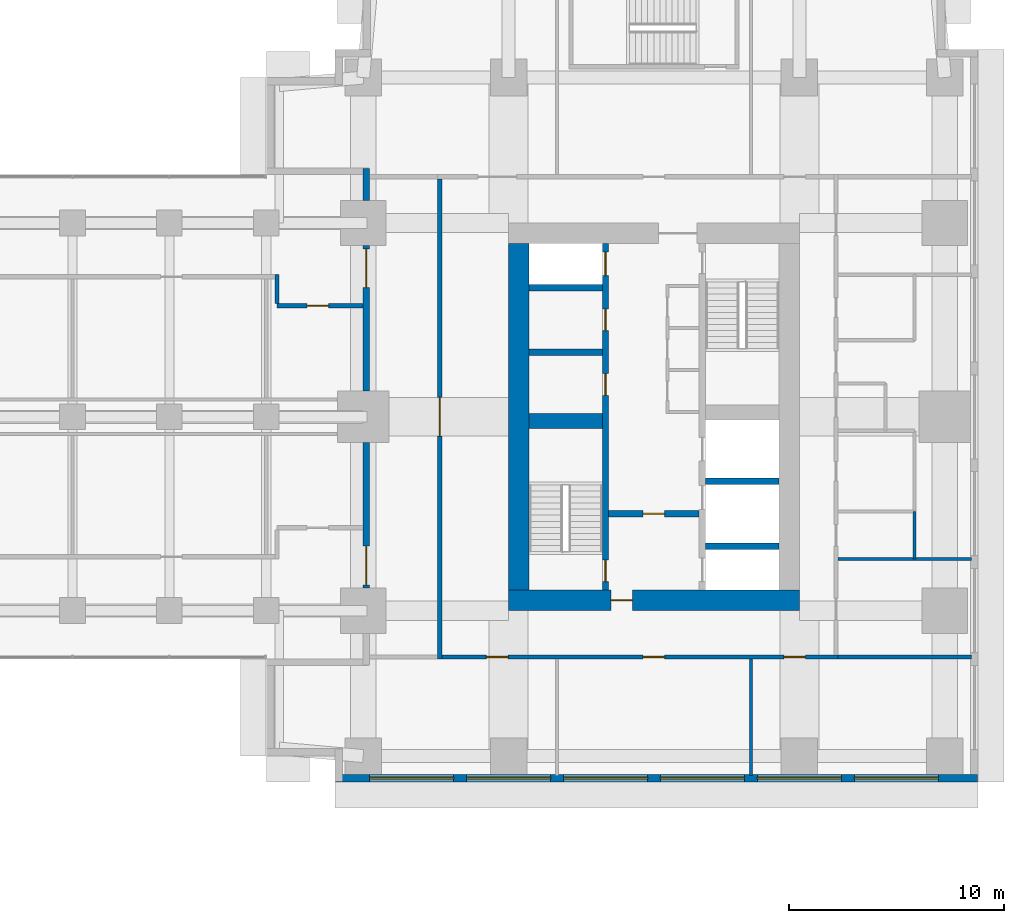
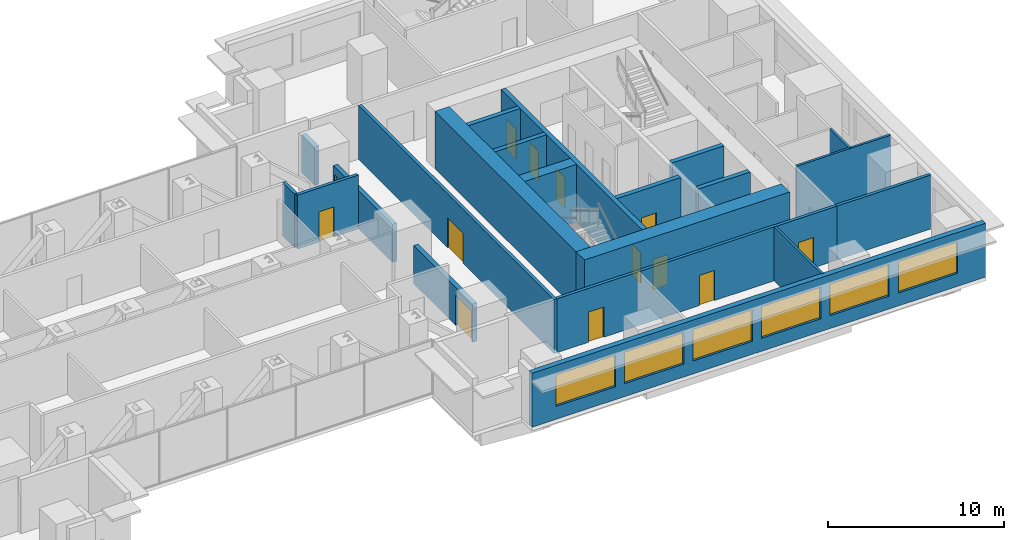
# One storey, part 10 of 16: 21 walls, 13 doors, 6 windows, 19 openings.
"""IFC4 building model written with IfcOpenShell, lengths in metres."""

import ifcopenshell
import ifcopenshell.guid

model = None  # the IFC model being written
_history = None  # IfcOwnerHistory: only IFC2X3 demands one
_inside = {}  # id of a spatial element -> (the spatial element, [elements in it])
_under = {}  # id of a project, library or spatial element -> (it, [spatial elements below it])
_declared = {}  # id of a project -> (the project, [libraries it declares])
_typed = {}  # id of a type object -> (the type object, [elements of that type])
_made_of = {}  # id of a material, layer set ... -> (it, [elements and type objects made of it])


def new_model(schema):
    """Start an empty IFC model of exactly this schema.

    Asked for "IFC4X3", IfcOpenShell would pick the latest addendum, in which some entities
    have other attributes; the version numbers below select the first issue.
    IFC2X3 requires an IfcOwnerHistory on every rooted entity: one is made here for all.
    """
    global model, _history
    if schema == "IFC4X3":
        model = ifcopenshell.file(schema_version=(4, 3, 0, 0))
    else:
        model = ifcopenshell.file(schema=schema)
    _inside.clear()
    _under.clear()
    _declared.clear()
    _typed.clear()
    _made_of.clear()
    _history = None
    if model.schema == "IFC2X3":
        org = make("IfcOrganization", Name="unknown")
        user = make(
            "IfcPersonAndOrganization",
            ThePerson=make("IfcPerson", FamilyName="unknown"),
            TheOrganization=org,
        )
        app = make(
            "IfcApplication",
            ApplicationDeveloper=org,
            Version="unknown",
            ApplicationFullName="unknown",
            ApplicationIdentifier="unknown",
        )
        _history = make(
            "IfcOwnerHistory",
            OwningUser=user,
            OwningApplication=app,
            ChangeAction="ADDED",
            CreationDate=0,
        )
    return model


def make(cls, **values):
    """One entity of the class cls with the attributes given. An attribute that is None is left unset."""
    return model.create_entity(
        cls, **{name: value for name, value in values.items() if value is not None}
    )


def rooted(cls, **values):
    """An entity with a GlobalId (a new one), such as an element, a storey or a relation."""
    return make(cls, GlobalId=ifcopenshell.guid.new(), OwnerHistory=_history, **values)


def si_unit(unit_type, name, prefix=None):
    """IfcSIUnit, for example si_unit("LENGTHUNIT", "METRE", prefix="MILLI")."""
    return make("IfcSIUnit", UnitType=unit_type, Prefix=prefix, Name=name)


def assignment(units):
    """IfcUnitAssignment: the units of a project."""
    return None if units is None else make("IfcUnitAssignment", Units=units)


def point(xyz):
    """IfcCartesianPoint."""
    return None if xyz is None else make("IfcCartesianPoint", Coordinates=xyz)


def direction(xyz):
    """IfcDirection."""
    return None if xyz is None else make("IfcDirection", DirectionRatios=xyz)


def frame(location, z_axis=None, x_axis=None):
    """IfcAxis2Placement3D, a coordinate frame: its origin and axes. An axis left out is left unset."""
    return make(
        "IfcAxis2Placement3D",
        Location=point(location),
        Axis=direction(z_axis),
        RefDirection=direction(x_axis),
    )


def frame_2d(location, x_axis=None):
    """IfcAxis2Placement2D, a coordinate frame in the plane: its origin and x axis."""
    return make(
        "IfcAxis2Placement2D", Location=point(location), RefDirection=direction(x_axis)
    )


def origin():
    """The frame at (0, 0, 0) with its axes left unset."""
    return frame((0.0, 0.0, 0.0))


def place(relative_to, where):
    """IfcLocalPlacement: puts the frame where relative to a parent placement (None: the world)."""
    return make(
        "IfcLocalPlacement", PlacementRelTo=relative_to, RelativePlacement=where
    )


def context(
    kind, dimensions, precision=None, world=None, true_north=None, identifier=None
):
    """IfcGeometricRepresentationContext, for example the 3D "Model" context."""
    return make(
        "IfcGeometricRepresentationContext",
        ContextIdentifier=identifier,
        ContextType=kind,
        CoordinateSpaceDimension=dimensions,
        Precision=precision,
        WorldCoordinateSystem=world,
        TrueNorth=true_north,
    )


def subcontext(parent, identifier, kind, view, scale=None):
    """IfcGeometricRepresentationSubContext, for example "Body" below "Model"."""
    return make(
        "IfcGeometricRepresentationSubContext",
        ContextIdentifier=identifier,
        ContextType=kind,
        ParentContext=parent,
        TargetScale=scale,
        TargetView=view,
    )


def project(units=None, contexts=None):
    """IfcProject with its units and contexts."""
    return rooted(
        "IfcProject",
        Name="project",
        RepresentationContexts=contexts,
        UnitsInContext=assignment(units),
    )


def spatial(cls, under=None, at=None, **own):
    """A site, building, storey or space (cls), placed at a placement, below another one or the project."""
    s = rooted(cls, ObjectPlacement=at, **own)
    if under is not None:
        _under.setdefault(under.id(), (under, []))[1].append(s)
    return s


def profile(cls, at=None, kind="AREA", **sizes):
    """A parametric profile (cls). Its sizes go by their IFC names, for example OverallWidth=200.0."""
    return make(cls, ProfileType=kind, Position=at, **sizes)


def rectangle(**sizes):
    """IfcRectangleProfileDef."""
    return profile("IfcRectangleProfileDef", **sizes)


def extrude(swept, where, along, depth):
    """IfcExtrudedAreaSolid: the profile swept, set in the frame where, extruded along a direction by depth."""
    return make(
        "IfcExtrudedAreaSolid",
        SweptArea=swept,
        Position=where,
        ExtrudedDirection=direction(along),
        Depth=depth,
    )


def shape(context_of_items, identifier, shape_type, items):
    """IfcShapeRepresentation: the items that make up one representation, for example the "Body"."""
    return make(
        "IfcShapeRepresentation",
        ContextOfItems=context_of_items,
        RepresentationIdentifier=identifier,
        RepresentationType=shape_type,
        Items=items,
    )


def material(Name=None, Category=None):
    """IfcMaterial."""
    return make("IfcMaterial", Name=Name, Category=Category)


def layer(
    of_material, thickness, ventilated=None, Name=None, Category=None, Priority=None
):
    """IfcMaterialLayer: one layer of a wall or slab, of a material (None: an air gap)."""
    return make(
        "IfcMaterialLayer",
        Material=of_material,
        LayerThickness=thickness,
        IsVentilated=ventilated,
        Name=Name,
        Category=Category,
        Priority=Priority,
    )


def layer_set(layers, Name=None):
    """IfcMaterialLayerSet."""
    return make("IfcMaterialLayerSet", MaterialLayers=layers, LayerSetName=Name)


def made_of(thing, what):
    """Note that an element or type object is made of a material, layer set ...; save() writes the relation."""
    if what is not None:
        _made_of.setdefault(what.id(), (what, []))[1].append(thing)
    return thing


def type_object(cls, material=None, **own):
    """A type object (cls), such as IfcWallType, which elements share."""
    return made_of(rooted(cls, **own), material)


def element(
    cls,
    number,
    at=None,
    inside=None,
    cuts=None,
    type_object=None,
    material=None,
    context=None,
    identifier="Body",
    shape_type=None,
    held_by="IfcProductDefinitionShape",
    body=None,
    shapes=None,
    **own,
):
    """One element of the class cls, such as IfcWall. Its Tag is "e" and its number.

    at: its placement. inside: the storey or other place that contains it. cuts: it is an
    opening in that element (IfcRelVoidsElement). A single representation is given by context,
    identifier, shape_type and body (its items); several are given by shapes. held_by: the class
    of the entity that holds the representations. save() writes the other relations.
    """
    e = rooted(cls, Tag="e%d" % number, ObjectPlacement=at, **own)
    if body is not None:
        shapes = [shape(context, identifier, shape_type, body)]
    if shapes is not None:
        e.Representation = make(held_by, Representations=shapes)
    if inside is not None:
        _inside.setdefault(inside.id(), (inside, []))[1].append(e)
    if cuts is not None:
        rooted(
            "IfcRelVoidsElement", RelatingBuildingElement=cuts, RelatedOpeningElement=e
        )
    if type_object is not None:
        _typed.setdefault(type_object.id(), (type_object, []))[1].append(e)
    return made_of(e, material)


def fill(opening, filler):
    """IfcRelFillsElement: the door or window that sits in an opening."""
    return rooted(
        "IfcRelFillsElement",
        RelatingOpeningElement=opening,
        RelatedBuildingElement=filler,
    )


def aggregate(whole, parts):
    """IfcRelAggregates: a whole, such as a stair, and the parts it consists of."""
    return rooted("IfcRelAggregates", RelatingObject=whole, RelatedObjects=parts)


def save(model, path):
    """Write the relations noted so far, then the file.

    IfcRelAggregates (storeys below a building ...), IfcRelContainedInSpatialStructure (elements
    in a storey), IfcRelDefinesByType, IfcRelAssociatesMaterial and IfcRelDeclares: one each for
    every whole, place, type object, material and project.
    """
    for whole, parts in _under.values():
        aggregate(whole, parts)
    for where, things in _inside.values():
        rooted(
            "IfcRelContainedInSpatialStructure",
            RelatedElements=things,
            RelatingStructure=where,
        )
    for kind, things in _typed.values():
        rooted("IfcRelDefinesByType", RelatedObjects=things, RelatingType=kind)
    for what, things in _made_of.values():
        rooted("IfcRelAssociatesMaterial", RelatedObjects=things, RelatingMaterial=what)
    for by, libraries in _declared.values():
        rooted("IfcRelDeclares", RelatingContext=by, RelatedDefinitions=libraries)
    model.write(path)


model = new_model("IFC4")

# Units and contexts
model_context = context("Model", 3, precision=1e-05, world=origin(), true_north=direction((0.0, 1.0)))
body_context = subcontext(model_context, "Body", "Model", "MODEL_VIEW")
ifc_project = project(units=[si_unit("LENGTHUNIT", "METRE"), si_unit("AREAUNIT", "SQUARE_METRE"), si_unit("VOLUMEUNIT", "CUBIC_METRE"), si_unit("PLANEANGLEUNIT", "RADIAN"), si_unit("MASSUNIT", "GRAM", prefix="KILO")], contexts=[model_context])

# Site, building, storey
site_placement = place(None, origin())
site = spatial("IfcSite", under=ifc_project, at=site_placement, CompositionType="ELEMENT")
building_placement = place(site_placement, origin())
building = spatial("IfcBuilding", under=site, at=building_placement, Name="Namib Vertical Campus", CompositionType="ELEMENT")
storey_placement = place(building_placement, frame((0.0, 0.0, 121.0)))
storey = spatial("IfcBuildingStorey", under=building, at=storey_placement, Name="L28", CompositionType="ELEMENT", Elevation=121.0)

# Wall, openings, doors
ifc_material_1 = material(Name="Concrete C60/75", Category="concrete")
ifc_layer_1 = layer(ifc_material_1, 0.300048828125)
ifc_layer_set_1 = layer_set([ifc_layer_1], Name="Concrete C60/75")
wall_type_1 = type_object("IfcWallType", Name="Core inner wall 300", PredefinedType="SHEAR", material=ifc_layer_set_1)
wall_1_placement = place(storey_placement, frame((78.75, 12.199951171875, 0.0), z_axis=(0.0, 0.0, 1.0), x_axis=(0.0, 1.0, 0.0)))
wall_1 = element("IfcWall", 1, at=wall_1_placement, inside=storey, type_object=wall_type_1, Name="Core inner wall B L28 W1", PredefinedType="SHEAR", context=body_context, shape_type="SweptSolid", body=[
    extrude(rectangle(XDim=16.10009765625, YDim=0.300048828125, at=frame_2d((8.050048828125, 0.0))), origin(), (0.0, 0.0, 1.0), 4.0),
])
opening_1_placement = place(wall_1_placement, frame((0.39990234375, 0.0, 0.0)))
opening_1 = element("IfcOpeningElement", 2, at=opening_1_placement, cuts=wall_1, Name="Opening FD1", PredefinedType="OPENING", context=body_context, shape_type="SweptSolid", body=[
    extrude(rectangle(XDim=1.0, YDim=2.10009765625, at=frame_2d((0.5, 1.050048828125))), frame((0.0, 0.159912109375, 0.0), z_axis=(0.0, -1.0, 0.0), x_axis=(1.0, 0.0, 0.0)), (0.0, 0.0, 1.0), 0.320068359375),
])
opening_2_placement = place(wall_1_placement, frame((14.60009765625, 0.0, 0.0)))
opening_2 = element("IfcOpeningElement", 3, at=opening_2_placement, cuts=wall_1, Name="Opening LD1", PredefinedType="OPENING", context=body_context, shape_type="SweptSolid", body=[
    extrude(rectangle(XDim=1.10009765625, YDim=2.10009765625, at=frame_2d((0.550048828125, 1.050048828125))), frame((0.0, 0.159912109375, 0.0), z_axis=(0.0, -1.0, 0.0), x_axis=(1.0, 0.0, 0.0)), (0.0, 0.0, 1.0), 0.320068359375),
])
opening_3_placement = place(wall_1_placement, frame((9.050048828125, 0.0, 0.0)))
opening_3 = element("IfcOpeningElement", 4, at=opening_3_placement, cuts=wall_1, Name="Opening D1", PredefinedType="OPENING", context=body_context, shape_type="SweptSolid", body=[
    extrude(rectangle(XDim=1.0, YDim=2.10009765625, at=frame_2d((0.5, 1.050048828125))), frame((0.0, 0.159912109375, 0.0), z_axis=(0.0, -1.0, 0.0), x_axis=(1.0, 0.0, 0.0)), (0.0, 0.0, 1.0), 0.320068359375),
])
opening_4_placement = place(wall_1_placement, frame((12.050048828125, 0.0, 0.0)))
opening_4 = element("IfcOpeningElement", 5, at=opening_4_placement, cuts=wall_1, Name="Opening D1", PredefinedType="OPENING", context=body_context, shape_type="SweptSolid", body=[
    extrude(rectangle(XDim=1.0, YDim=2.10009765625, at=frame_2d((0.5, 1.050048828125))), frame((0.0, 0.159912109375, 0.0), z_axis=(0.0, -1.0, 0.0), x_axis=(1.0, 0.0, 0.0)), (0.0, 0.0, 1.0), 0.320068359375),
])
ifc_material_2 = material(Name="Timber door leaf", Category="wood")
door_type_1 = type_object("IfcDoorType", Name="Door single 1000x2100", OperationType="SINGLE_SWING_LEFT", PredefinedType="DOOR", material=ifc_material_2)
door_1_placement = place(opening_3_placement, origin())
door_1 = element("IfcDoor", 6, at=door_1_placement, inside=storey, type_object=door_type_1, Name="Door D1 Store B L28 P1", OperationType="SINGLE_SWING_LEFT", OverallHeight=2.10009765625, OverallWidth=1.0, PredefinedType="DOOR", context=body_context, shape_type="SweptSolid", body=[
    extrude(rectangle(XDim=1.0, YDim=2.10009765625, at=frame_2d((0.5, 1.050048828125))), frame((0.0, 0.02490234375, 0.0), z_axis=(0.0, -1.0, 0.0), x_axis=(1.0, 0.0, 0.0)), (0.0, 0.0, 1.0), 0.050048828125),
])
fill(opening_3, door_1)
door_2_placement = place(opening_4_placement, origin())
door_2 = element("IfcDoor", 7, at=door_2_placement, inside=storey, type_object=door_type_1, Name="Door D1 Comms room B L28 P2", OperationType="SINGLE_SWING_LEFT", OverallHeight=2.10009765625, OverallWidth=1.0, PredefinedType="DOOR", context=body_context, shape_type="SweptSolid", body=[
    extrude(rectangle(XDim=1.0, YDim=2.10009765625, at=frame_2d((0.5, 1.050048828125))), frame((0.0, 0.02490234375, 0.0), z_axis=(0.0, -1.0, 0.0), x_axis=(1.0, 0.0, 0.0)), (0.0, 0.0, 1.0), 0.050048828125),
])
fill(opening_4, door_2)
ifc_material_3 = material(Name="Steel fire door", Category="steel")
door_type_2 = type_object("IfcDoorType", Name="Fire door 1000x2100", OperationType="SINGLE_SWING_RIGHT", PredefinedType="DOOR", material=ifc_material_3)
door_3_placement = place(opening_1_placement, origin())
door_3 = element("IfcDoor", 8, at=door_3_placement, inside=storey, type_object=door_type_2, Name="Stair door FD1 B L28 S1", OperationType="SINGLE_SWING_LEFT", OverallHeight=2.10009765625, OverallWidth=1.0, PredefinedType="DOOR", context=body_context, shape_type="SweptSolid", body=[
    extrude(rectangle(XDim=1.0, YDim=2.10009765625, at=frame_2d((0.5, 1.050048828125))), frame((0.0, 0.02490234375, 0.0), z_axis=(0.0, -1.0, 0.0), x_axis=(1.0, 0.0, 0.0)), (0.0, 0.0, 1.0), 0.050048828125),
])
fill(opening_1, door_3)
ifc_material_4 = material(Name="Stainless steel lift door", Category="steel")
door_type_3 = type_object("IfcDoorType", Name="Lift landing door 1100x2100", OperationType="DOUBLE_DOOR_SLIDING", PredefinedType="DOOR", material=ifc_material_4)
door_4_placement = place(opening_2_placement, origin())
door_4 = element("IfcDoor", 9, at=door_4_placement, inside=storey, type_object=door_type_3, Name="Lift landing door LD1 B-P3 L28", OperationType="DOUBLE_DOOR_SLIDING", OverallHeight=2.10009765625, OverallWidth=1.10009765625, PredefinedType="DOOR", context=body_context, shape_type="SweptSolid", body=[
    extrude(rectangle(XDim=1.10009765625, YDim=2.10009765625, at=frame_2d((0.550048828125, 1.050048828125))), frame((0.0, 0.02490234375, 0.0), z_axis=(0.0, -1.0, 0.0), x_axis=(1.0, 0.0, 0.0)), (0.0, 0.0, 1.0), 0.050048828125),
])
fill(opening_2, door_4)

# Wall, opening, door
wall_2_placement = place(storey_placement, frame((78.89990234375, 15.75, 0.0), z_axis=(0.0, 0.0, 1.0), x_axis=(1.0, 0.0, 0.0)))
wall_2 = element("IfcWall", 10, at=wall_2_placement, inside=storey, type_object=wall_type_1, Name="Core inner wall B L28 W4", PredefinedType="SHEAR", context=body_context, shape_type="SweptSolid", body=[
    extrude(rectangle(XDim=4.2001953125, YDim=0.300048828125, at=frame_2d((2.10009765625, 0.0))), origin(), (0.0, 0.0, 1.0), 4.0),
])
opening_5_placement = place(wall_2_placement, frame((1.60009765625, 0.0, 0.0)))
opening_5 = element("IfcOpeningElement", 11, at=opening_5_placement, cuts=wall_2, Name="Opening FD5", PredefinedType="OPENING", context=body_context, shape_type="SweptSolid", body=[
    extrude(rectangle(XDim=1.0, YDim=2.10009765625, at=frame_2d((0.5, 1.050048828125))), frame((0.0, 0.159912109375, 0.0), z_axis=(0.0, -1.0, 0.0), x_axis=(1.0, 0.0, 0.0)), (0.0, 0.0, 1.0), 0.320068359375),
])
ifc_material_5 = material(Name="Steel fire door", Category="steel")
door_type_4 = type_object("IfcDoorType", Name="Fire door 1000x2100 120 min", OperationType="SINGLE_SWING_RIGHT", PredefinedType="DOOR", material=ifc_material_5)
door_5_placement = place(opening_5_placement, frame((1.0, 0.0, 0.0), z_axis=(0.0, 0.0, 1.0), x_axis=(-1.0, 0.0, 0.0)))
door_5 = element("IfcDoor", 12, at=door_5_placement, inside=storey, type_object=door_type_4, Name="Lobby door FD5 B L28", OperationType="SINGLE_SWING_RIGHT", OverallHeight=2.10009765625, OverallWidth=1.0, PredefinedType="DOOR", context=body_context, shape_type="SweptSolid", body=[
    extrude(rectangle(XDim=1.0, YDim=2.10009765625, at=frame_2d((0.5, 1.050048828125))), frame((0.0, 0.02490234375, 0.0), z_axis=(0.0, -1.0, 0.0), x_axis=(1.0, 0.0, 0.0)), (0.0, 0.0, 1.0), 0.050048828125),
])
fill(opening_5, door_5)

# Walls
for number, where, z_axis, x_axis, name in (
    (13, (83.39990234375, 14.25, 0.0), (0.0, 0.0, 1.0), (1.0, 0.0, 0.0), "Core inner wall B L28 W5"),
    (14, (83.39990234375, 17.25, 0.0), (0.0, 0.0, 1.0), (1.0, 0.0, 0.0), "Core inner wall B L28 W6"),
    (15, (75.199951171875, 23.25, 0.0), (0.0, 0.0, 1.0), (1.0, 0.0, 0.0), "Core inner wall B L28 W8"),
    (16, (75.199951171875, 26.25, 0.0), (0.0, 0.0, 1.0), (1.0, 0.0, 0.0), "Core inner wall B L28 W9"),
):
    element("IfcWall", number, at=place(storey_placement, frame(where, z_axis=z_axis, x_axis=x_axis)), inside=storey, type_object=wall_type_1, Name=name, PredefinedType="SHEAR", context=body_context, shape_type="SweptSolid", body=[
        extrude(rectangle(XDim=3.400146484375, YDim=0.300048828125, at=frame_2d((1.7001953125, 0.0))), origin(), (0.0, 0.0, 1.0), 4.0),
    ])
ifc_material_6 = material(Name="Concrete C60/75", Category="concrete")
ifc_layer_2 = layer(ifc_material_6, 0.699951171875)
ifc_layer_set_2 = layer_set([ifc_layer_2], Name="Concrete C60/75")
wall_type_2 = type_object("IfcWallType", Name="Core shear wall 700", PredefinedType="SHEAR", material=ifc_layer_set_2)
wall_3_placement = place(storey_placement, frame((75.199951171875, 20.050048828125, 0.0), z_axis=(0.0, 0.0, 1.0), x_axis=(1.0, 0.0, 0.0)))
element("IfcWall", 17, at=wall_3_placement, inside=storey, type_object=wall_type_2, Name="Core shear wall B L28 W3", PredefinedType="SHEAR", context=body_context, shape_type="SweptSolid", body=[
    extrude(rectangle(XDim=3.400146484375, YDim=0.699951171875, at=frame_2d((1.7001953125, 0.0))), origin(), (0.0, 0.0, 1.0), 4.0),
])

# Wall, opening, door
ifc_material_7 = material(Name="Concrete C60/75", Category="concrete")
ifc_layer_3 = layer(ifc_material_7, 0.949951171875)
ifc_layer_set_3 = layer_set([ifc_layer_3], Name="Concrete C60/75")
wall_type_3 = type_object("IfcWallType", Name="Core wall 950", PredefinedType="SHEAR", material=ifc_layer_set_3)
wall_4_placement = place(storey_placement, frame((74.25, 11.72509765625, 0.0), z_axis=(0.0, 0.0, 1.0), x_axis=(1.0, 0.0, 0.0)))
wall_4 = element("IfcWall", 18, at=wall_4_placement, inside=storey, type_object=wall_type_3, Name="Core wall B L28 1", PredefinedType="SHEAR", context=body_context, shape_type="SweptSolid", body=[
    extrude(rectangle(XDim=13.5, YDim=0.949951171875, at=frame_2d((6.75, 0.0))), origin(), (0.0, 0.0, 1.0), 4.0),
])
opening_6_placement = place(wall_4_placement, frame((4.75, 0.0, 0.0)))
opening_6 = element("IfcOpeningElement", 19, at=opening_6_placement, cuts=wall_4, Name="Opening FD5", PredefinedType="OPENING", context=body_context, shape_type="SweptSolid", body=[
    extrude(rectangle(XDim=1.0, YDim=2.10009765625, at=frame_2d((0.5, 1.050048828125))), frame((0.0, 0.48486328125, 0.0), z_axis=(0.0, -1.0, 0.0), x_axis=(1.0, 0.0, 0.0)), (0.0, 0.0, 1.0), 0.969970703125),
])
door_6_placement = place(opening_6_placement, origin())
door_6 = element("IfcDoor", 20, at=door_6_placement, inside=storey, type_object=door_type_4, Name="Firefighting lobby door FD5 B L28", OperationType="SINGLE_SWING_LEFT", OverallHeight=2.10009765625, OverallWidth=1.0, PredefinedType="DOOR", context=body_context, shape_type="SweptSolid", body=[
    extrude(rectangle(XDim=1.0, YDim=2.10009765625, at=frame_2d((0.5, 1.050048828125))), frame((0.0, 0.02490234375, 0.0), z_axis=(0.0, -1.0, 0.0), x_axis=(1.0, 0.0, 0.0)), (0.0, 0.0, 1.0), 0.050048828125),
])
fill(opening_6, door_6)

# Wall
wall_5_placement = place(storey_placement, frame((74.72509765625, 28.300048828125, 0.0), z_axis=(0.0, 0.0, 1.0), x_axis=(0.0, -1.0, 0.0)))
element("IfcWall", 21, at=wall_5_placement, inside=storey, type_object=wall_type_3, Name="Core wall B L28 4", PredefinedType="SHEAR", context=body_context, shape_type="SweptSolid", body=[
    extrude(rectangle(XDim=16.10009765625, YDim=0.949951171875, at=frame_2d((8.050048828125, 0.0))), origin(), (0.0, 0.0, 1.0), 4.0),
])

# Wall, openings, doors
ifc_material_8 = material(Name="Concrete masonry", Category="masonry")
ifc_layer_4 = layer(ifc_material_8, 0.199951171875)
ifc_layer_set_4 = layer_set([ifc_layer_4], Name="Corridor wall 200")
wall_type_4 = type_object("IfcWallType", Name="Corridor wall 200", PredefinedType="SOLIDWALL", material=ifc_layer_set_4)
wall_6_placement = place(storey_placement, frame((71.14990234375, 9.10009765625, 0.0), z_axis=(0.0, 0.0, 1.0), x_axis=(1.0, 0.0, 0.0)))
wall_6 = element("IfcWall", 22, at=wall_6_placement, inside=storey, type_object=wall_type_4, Name="Corridor wall B L28 CS", PredefinedType="SOLIDWALL", context=body_context, shape_type="SweptSolid", body=[
    extrude(rectangle(XDim=18.400146484375, YDim=0.199951171875, at=frame_2d((9.2001953125, 0.0))), origin(), (0.0, 0.0, 1.0), 3.75),
])
opening_7_placement = place(wall_6_placement, frame((2.074951171875, 0.0, 0.0)))
opening_7 = element("IfcOpeningElement", 23, at=opening_7_placement, cuts=wall_6, Name="Opening CD1", PredefinedType="OPENING", context=body_context, shape_type="SweptSolid", body=[
    extrude(rectangle(XDim=1.0, YDim=2.10009765625, at=frame_2d((0.5, 1.050048828125))), frame((0.0, 0.10986328125, 0.0), z_axis=(0.0, -1.0, 0.0), x_axis=(1.0, 0.0, 0.0)), (0.0, 0.0, 1.0), 0.219970703125),
])
opening_8_placement = place(wall_6_placement, frame((9.35009765625, 0.0, 0.0)))
opening_8 = element("IfcOpeningElement", 24, at=opening_8_placement, cuts=wall_6, Name="Opening CD1", PredefinedType="OPENING", context=body_context, shape_type="SweptSolid", body=[
    extrude(rectangle(XDim=1.0, YDim=2.10009765625, at=frame_2d((0.5, 1.050048828125))), frame((0.0, 0.10986328125, 0.0), z_axis=(0.0, -1.0, 0.0), x_axis=(1.0, 0.0, 0.0)), (0.0, 0.0, 1.0), 0.219970703125),
])
opening_9_placement = place(wall_6_placement, frame((15.875, 0.0, 0.0)))
opening_9 = element("IfcOpeningElement", 25, at=opening_9_placement, cuts=wall_6, Name="Opening CD1", PredefinedType="OPENING", context=body_context, shape_type="SweptSolid", body=[
    extrude(rectangle(XDim=1.0, YDim=2.10009765625, at=frame_2d((0.5, 1.050048828125))), frame((0.0, 0.10986328125, 0.0), z_axis=(0.0, -1.0, 0.0), x_axis=(1.0, 0.0, 0.0)), (0.0, 0.0, 1.0), 0.219970703125),
])
ifc_material_9 = material(Name="Timber fire door leaf", Category="wood")
door_type_5 = type_object("IfcDoorType", Name="Corridor door 1000x2100 20 min", OperationType="SINGLE_SWING_LEFT", PredefinedType="DOOR", material=ifc_material_9)
door_7_placement = place(opening_7_placement, frame((1.0, 0.0, 0.0), z_axis=(0.0, 0.0, 1.0), x_axis=(-1.0, 0.0, 0.0)))
door_7 = element("IfcDoor", 26, at=door_7_placement, inside=storey, type_object=door_type_5, Name="Door CD1 B28-01", OperationType="SINGLE_SWING_LEFT", OverallHeight=2.10009765625, OverallWidth=1.0, PredefinedType="DOOR", context=body_context, shape_type="SweptSolid", body=[
    extrude(rectangle(XDim=1.0, YDim=2.10009765625, at=frame_2d((0.5, 1.050048828125))), frame((0.0, 0.02490234375, 0.0), z_axis=(0.0, -1.0, 0.0), x_axis=(1.0, 0.0, 0.0)), (0.0, 0.0, 1.0), 0.050048828125),
])
fill(opening_7, door_7)
door_8_placement = place(opening_8_placement, frame((1.0, 0.0, 0.0), z_axis=(0.0, 0.0, 1.0), x_axis=(-1.0, 0.0, 0.0)))
door_8 = element("IfcDoor", 27, at=door_8_placement, inside=storey, type_object=door_type_5, Name="Door CD1 B28-02", OperationType="SINGLE_SWING_RIGHT", OverallHeight=2.10009765625, OverallWidth=1.0, PredefinedType="DOOR", context=body_context, shape_type="SweptSolid", body=[
    extrude(rectangle(XDim=1.0, YDim=2.10009765625, at=frame_2d((0.5, 1.050048828125))), frame((0.0, 0.02490234375, 0.0), z_axis=(0.0, -1.0, 0.0), x_axis=(1.0, 0.0, 0.0)), (0.0, 0.0, 1.0), 0.050048828125),
])
fill(opening_8, door_8)
door_9_placement = place(opening_9_placement, frame((1.0, 0.0, 0.0), z_axis=(0.0, 0.0, 1.0), x_axis=(-1.0, 0.0, 0.0)))
door_9 = element("IfcDoor", 28, at=door_9_placement, inside=storey, type_object=door_type_5, Name="Door CD1 B28-03", OperationType="SINGLE_SWING_RIGHT", OverallHeight=2.10009765625, OverallWidth=1.0, PredefinedType="DOOR", context=body_context, shape_type="SweptSolid", body=[
    extrude(rectangle(XDim=1.0, YDim=2.10009765625, at=frame_2d((0.5, 1.050048828125))), frame((0.0, 0.02490234375, 0.0), z_axis=(0.0, -1.0, 0.0), x_axis=(1.0, 0.0, 0.0)), (0.0, 0.0, 1.0), 0.050048828125),
])
fill(opening_9, door_9)

# Wall, opening, door
wall_7_placement = place(storey_placement, frame((71.050048828125, 31.300048828125, 0.0), z_axis=(0.0, 0.0, 1.0), x_axis=(0.0, -1.0, 0.0)))
wall_7 = element("IfcWall", 29, at=wall_7_placement, inside=storey, type_object=wall_type_4, Name="Corridor wall B L28 CW", PredefinedType="SOLIDWALL", context=body_context, shape_type="SweptSolid", body=[
    extrude(rectangle(XDim=22.300048828125, YDim=0.199951171875, at=frame_2d((11.14990234375, 0.0))), origin(), (0.0, 0.0, 1.0), 3.75),
])
opening_10_placement = place(wall_7_placement, frame((10.14990234375, 0.0, 0.0)))
opening_10 = element("IfcOpeningElement", 30, at=opening_10_placement, cuts=wall_7, Name="Opening FD2", PredefinedType="OPENING", context=body_context, shape_type="SweptSolid", body=[
    extrude(rectangle(XDim=1.800048828125, YDim=2.10009765625, at=frame_2d((0.89990234375, 1.050048828125))), frame((0.0, 0.10986328125, 0.0), z_axis=(0.0, -1.0, 0.0), x_axis=(1.0, 0.0, 0.0)), (0.0, 0.0, 1.0), 0.219970703125),
])
ifc_material_10 = material(Name="Steel fire door", Category="steel")
door_type_6 = type_object("IfcDoorType", Name="Fire door double 1800x2100", OperationType="DOUBLE_DOOR_SINGLE_SWING", PredefinedType="DOOR", material=ifc_material_10)
door_10_placement = place(opening_10_placement, origin())
door_10 = element("IfcDoor", 31, at=door_10_placement, inside=storey, type_object=door_type_6, Name="Door FD2 B28-14", OperationType="DOUBLE_DOOR_SINGLE_SWING", OverallHeight=2.10009765625, OverallWidth=1.800048828125, PredefinedType="DOOR", context=body_context, shape_type="SweptSolid", body=[
    extrude(rectangle(XDim=1.800048828125, YDim=2.10009765625, at=frame_2d((0.89990234375, 1.050048828125))), frame((0.0, 0.02490234375, 0.0), z_axis=(0.0, -1.0, 0.0), x_axis=(1.0, 0.0, 0.0)), (0.0, 0.0, 1.0), 0.050048828125),
])
fill(opening_10, door_10)

# Wall
wall_8_placement = place(storey_placement, frame((89.550048828125, 9.10009765625, 0.0), z_axis=(0.0, 0.0, 1.0), x_axis=(1.0, 0.0, 0.0)))
element("IfcWall", 32, at=wall_8_placement, inside=storey, type_object=wall_type_4, Name="Partition B L28 BSE", PredefinedType="SOLIDWALL", context=body_context, shape_type="SweptSolid", body=[
    extrude(rectangle(XDim=6.199951171875, YDim=0.199951171875, at=frame_2d((3.10009765625, 0.0))), origin(), (0.0, 0.0, 1.0), 3.75),
])

# Wall, opening, door
wall_9_placement = place(storey_placement, frame((63.5, 25.39990234375, 0.0), z_axis=(0.0, 0.0, 1.0), x_axis=(1.0, 0.0, 0.0)))
wall_9 = element("IfcWall", 33, at=wall_9_placement, inside=storey, type_object=wall_type_4, Name="Lobby wall L28 NE", PredefinedType="SOLIDWALL", context=body_context, shape_type="SweptSolid", body=[
    extrude(rectangle(XDim=4.0, YDim=0.199951171875, at=frame_2d((2.0, 0.0))), origin(), (0.0, 0.0, 1.0), 3.75),
])
opening_11_placement = place(wall_9_placement, frame((1.39990234375, 0.0, 0.0)))
opening_11 = element("IfcOpeningElement", 34, at=opening_11_placement, cuts=wall_9, Name="Opening CD1", PredefinedType="OPENING", context=body_context, shape_type="SweptSolid", body=[
    extrude(rectangle(XDim=1.0, YDim=2.10009765625, at=frame_2d((0.5, 1.050048828125))), frame((0.0, 0.10986328125, 0.0), z_axis=(0.0, -1.0, 0.0), x_axis=(1.0, 0.0, 0.0)), (0.0, 0.0, 1.0), 0.219970703125),
])
door_11_placement = place(opening_11_placement, frame((1.0, 0.0, 0.0), z_axis=(0.0, 0.0, 1.0), x_axis=(-1.0, 0.0, 0.0)))
door_11 = element("IfcDoor", 35, at=door_11_placement, inside=storey, type_object=door_type_5, Name="Door CD1 BR28-10", OperationType="SINGLE_SWING_LEFT", OverallHeight=2.10009765625, OverallWidth=1.0, PredefinedType="DOOR", context=body_context, shape_type="SweptSolid", body=[
    extrude(rectangle(XDim=1.0, YDim=2.10009765625, at=frame_2d((0.5, 1.050048828125))), frame((0.0, 0.02490234375, 0.0), z_axis=(0.0, -1.0, 0.0), x_axis=(1.0, 0.0, 0.0)), (0.0, 0.0, 1.0), 0.050048828125),
])
fill(opening_11, door_11)

# Wall
wall_10_placement = place(storey_placement, frame((63.5, 26.85009765625, 0.0), z_axis=(0.0, 0.0, 1.0), x_axis=(0.0, -1.0, 0.0)))
element("IfcWall", 36, at=wall_10_placement, inside=storey, type_object=wall_type_4, Name="Lobby side wall L28 NE", PredefinedType="SOLIDWALL", context=body_context, shape_type="SweptSolid", body=[
    extrude(rectangle(XDim=1.35009765625, YDim=0.199951171875, at=frame_2d((0.675048828125, 0.0))), origin(), (0.0, 0.0, 1.0), 3.75),
])

# Wall, openings, windows
ifc_material_11 = material(Name="Concrete C40/50", Category="concrete")
ifc_layer_5 = layer(ifc_material_11, 0.35009765625)
ifc_layer_set_5 = layer_set([ifc_layer_5], Name="Concrete C40/50")
wall_type_5 = type_object("IfcWallType", Name="External wall 350 bush-hammered concrete", PredefinedType="STANDARD", material=ifc_layer_set_5)
wall_11_placement = place(storey_placement, frame((66.219970703125, 3.47509765625, 0.0), z_axis=(0.0, 0.0, 1.0), x_axis=(1.0, 0.0, 0.0)))
wall_11 = element("IfcWall", 37, at=wall_11_placement, inside=storey, type_object=wall_type_5, Name="External wall L28 F04", PredefinedType="STANDARD", context=body_context, shape_type="SweptSolid", body=[
    extrude(rectangle(XDim=29.81005859375, YDim=0.35009765625, at=frame_2d((14.905029296875, 0.0))), origin(), (0.0, 0.0, 1.0), 3.75),
])
opening_12_placement = place(wall_11_placement, frame((1.580078125, 0.0, 0.89990234375)))
opening_12 = element("IfcOpeningElement", 38, at=opening_12_placement, cuts=wall_11, Name="Opening W1", PredefinedType="OPENING", context=body_context, shape_type="SweptSolid", body=[
    extrude(rectangle(XDim=3.89990234375, YDim=2.199951171875, at=frame_2d((1.949951171875, 1.10009765625))), frame((0.0, 0.18505859375, 0.0), z_axis=(0.0, -1.0, 0.0), x_axis=(1.0, 0.0, 0.0)), (0.0, 0.0, 1.0), 0.3701171875),
])
opening_13_placement = place(wall_11_placement, frame((6.080078125, 0.0, 0.89990234375)))
opening_13 = element("IfcOpeningElement", 39, at=opening_13_placement, cuts=wall_11, Name="Opening W1", PredefinedType="OPENING", context=body_context, shape_type="SweptSolid", body=[
    extrude(rectangle(XDim=3.89990234375, YDim=2.199951171875, at=frame_2d((1.949951171875, 1.10009765625))), frame((0.0, 0.18505859375, 0.0), z_axis=(0.0, -1.0, 0.0), x_axis=(1.0, 0.0, 0.0)), (0.0, 0.0, 1.0), 0.3701171875),
])
opening_14_placement = place(wall_11_placement, frame((10.580078125, 0.0, 0.89990234375)))
opening_14 = element("IfcOpeningElement", 40, at=opening_14_placement, cuts=wall_11, Name="Opening W1", PredefinedType="OPENING", context=body_context, shape_type="SweptSolid", body=[
    extrude(rectangle(XDim=3.89990234375, YDim=2.199951171875, at=frame_2d((1.949951171875, 1.10009765625))), frame((0.0, 0.18505859375, 0.0), z_axis=(0.0, -1.0, 0.0), x_axis=(1.0, 0.0, 0.0)), (0.0, 0.0, 1.0), 0.3701171875),
])
opening_15_placement = place(wall_11_placement, frame((15.080078125, 0.0, 0.89990234375)))
opening_15 = element("IfcOpeningElement", 41, at=opening_15_placement, cuts=wall_11, Name="Opening W1", PredefinedType="OPENING", context=body_context, shape_type="SweptSolid", body=[
    extrude(rectangle(XDim=3.89990234375, YDim=2.199951171875, at=frame_2d((1.949951171875, 1.10009765625))), frame((0.0, 0.18505859375, 0.0), z_axis=(0.0, -1.0, 0.0), x_axis=(1.0, 0.0, 0.0)), (0.0, 0.0, 1.0), 0.3701171875),
])
opening_16_placement = place(wall_11_placement, frame((19.580078125, 0.0, 0.89990234375)))
opening_16 = element("IfcOpeningElement", 42, at=opening_16_placement, cuts=wall_11, Name="Opening W1", PredefinedType="OPENING", context=body_context, shape_type="SweptSolid", body=[
    extrude(rectangle(XDim=3.89990234375, YDim=2.199951171875, at=frame_2d((1.949951171875, 1.10009765625))), frame((0.0, 0.18505859375, 0.0), z_axis=(0.0, -1.0, 0.0), x_axis=(1.0, 0.0, 0.0)), (0.0, 0.0, 1.0), 0.3701171875),
])
opening_17_placement = place(wall_11_placement, frame((24.080078125, 0.0, 0.89990234375)))
opening_17 = element("IfcOpeningElement", 43, at=opening_17_placement, cuts=wall_11, Name="Opening W1", PredefinedType="OPENING", context=body_context, shape_type="SweptSolid", body=[
    extrude(rectangle(XDim=3.89990234375, YDim=2.199951171875, at=frame_2d((1.949951171875, 1.10009765625))), frame((0.0, 0.18505859375, 0.0), z_axis=(0.0, -1.0, 0.0), x_axis=(1.0, 0.0, 0.0)), (0.0, 0.0, 1.0), 0.3701171875),
])
ifc_material_12 = material(Name="Dark tinted glass in black aluminium frame", Category="aluminium")
window_type = type_object("IfcWindowType", Name="Ribbon window 3900x2200", PartitioningType="SINGLE_PANEL", PredefinedType="WINDOW", material=ifc_material_12)
window_1_placement = place(opening_12_placement, origin())
window_1 = element("IfcWindow", 44, at=window_1_placement, inside=storey, type_object=window_type, Name="Window W1 L28 F04-1", OverallHeight=2.199951171875, OverallWidth=3.89990234375, PartitioningType="SINGLE_PANEL", PredefinedType="WINDOW", context=body_context, shape_type="SweptSolid", body=[
    extrude(rectangle(XDim=3.89990234375, YDim=2.199951171875, at=frame_2d((1.949951171875, 1.10009765625))), frame((0.0, 0.030029296875, 0.0), z_axis=(0.0, -1.0, 0.0), x_axis=(1.0, 0.0, 0.0)), (0.0, 0.0, 1.0), 0.06005859375),
])
fill(opening_12, window_1)
window_2_placement = place(opening_13_placement, origin())
window_2 = element("IfcWindow", 45, at=window_2_placement, inside=storey, type_object=window_type, Name="Window W1 L28 F04-2", OverallHeight=2.199951171875, OverallWidth=3.89990234375, PartitioningType="SINGLE_PANEL", PredefinedType="WINDOW", context=body_context, shape_type="SweptSolid", body=[
    extrude(rectangle(XDim=3.89990234375, YDim=2.199951171875, at=frame_2d((1.949951171875, 1.10009765625))), frame((0.0, 0.030029296875, 0.0), z_axis=(0.0, -1.0, 0.0), x_axis=(1.0, 0.0, 0.0)), (0.0, 0.0, 1.0), 0.06005859375),
])
fill(opening_13, window_2)
window_3_placement = place(opening_14_placement, origin())
window_3 = element("IfcWindow", 46, at=window_3_placement, inside=storey, type_object=window_type, Name="Window W1 L28 F04-3", OverallHeight=2.199951171875, OverallWidth=3.89990234375, PartitioningType="SINGLE_PANEL", PredefinedType="WINDOW", context=body_context, shape_type="SweptSolid", body=[
    extrude(rectangle(XDim=3.89990234375, YDim=2.199951171875, at=frame_2d((1.949951171875, 1.10009765625))), frame((0.0, 0.030029296875, 0.0), z_axis=(0.0, -1.0, 0.0), x_axis=(1.0, 0.0, 0.0)), (0.0, 0.0, 1.0), 0.06005859375),
])
fill(opening_14, window_3)
window_4_placement = place(opening_15_placement, origin())
window_4 = element("IfcWindow", 47, at=window_4_placement, inside=storey, type_object=window_type, Name="Window W1 L28 F04-4", OverallHeight=2.199951171875, OverallWidth=3.89990234375, PartitioningType="SINGLE_PANEL", PredefinedType="WINDOW", context=body_context, shape_type="SweptSolid", body=[
    extrude(rectangle(XDim=3.89990234375, YDim=2.199951171875, at=frame_2d((1.949951171875, 1.10009765625))), frame((0.0, 0.030029296875, 0.0), z_axis=(0.0, -1.0, 0.0), x_axis=(1.0, 0.0, 0.0)), (0.0, 0.0, 1.0), 0.06005859375),
])
fill(opening_15, window_4)
window_5_placement = place(opening_16_placement, origin())
window_5 = element("IfcWindow", 48, at=window_5_placement, inside=storey, type_object=window_type, Name="Window W1 L28 F04-5", OverallHeight=2.199951171875, OverallWidth=3.89990234375, PartitioningType="SINGLE_PANEL", PredefinedType="WINDOW", context=body_context, shape_type="SweptSolid", body=[
    extrude(rectangle(XDim=3.89990234375, YDim=2.199951171875, at=frame_2d((1.949951171875, 1.10009765625))), frame((0.0, 0.030029296875, 0.0), z_axis=(0.0, -1.0, 0.0), x_axis=(1.0, 0.0, 0.0)), (0.0, 0.0, 1.0), 0.06005859375),
])
fill(opening_16, window_5)
window_6_placement = place(opening_17_placement, origin())
window_6 = element("IfcWindow", 49, at=window_6_placement, inside=storey, type_object=window_type, Name="Window W1 L28 F04-6", OverallHeight=2.199951171875, OverallWidth=3.89990234375, PartitioningType="SINGLE_PANEL", PredefinedType="WINDOW", context=body_context, shape_type="SweptSolid", body=[
    extrude(rectangle(XDim=3.89990234375, YDim=2.199951171875, at=frame_2d((1.949951171875, 1.10009765625))), frame((0.0, 0.030029296875, 0.0), z_axis=(0.0, -1.0, 0.0), x_axis=(1.0, 0.0, 0.0)), (0.0, 0.0, 1.0), 0.06005859375),
])
fill(opening_17, window_6)

# Wall
ifc_material_13 = material(Name="Concrete masonry", Category="masonry")
ifc_layer_6 = layer(ifc_material_13, 0.300048828125)
ifc_layer_set_6 = layer_set([ifc_layer_6], Name="Fire wall 300")
wall_type_6 = type_object("IfcWallType", Name="Fire wall 300", PredefinedType="SOLIDWALL", material=ifc_layer_set_6)
wall_12_placement = place(storey_placement, frame((67.64990234375, 31.780029296875, 0.0), z_axis=(0.0, 0.0, 1.0), x_axis=(0.0, -1.0, 0.0)))
element("IfcWall", 50, at=wall_12_placement, inside=storey, type_object=wall_type_6, Name="External wall L28 F15", PredefinedType="SOLIDWALL", context=body_context, shape_type="SweptSolid", body=[
    extrude(rectangle(XDim=1.47998046875, YDim=0.300048828125, at=frame_2d((0.739990234375, 0.0))), origin(), (0.0, 0.0, 1.0), 2.64990234375),
])

# Wall, opening, door
wall_13_placement = place(storey_placement, frame((67.64990234375, 28.199951171875, 0.0), z_axis=(0.0, 0.0, 1.0), x_axis=(0.0, -1.0, 0.0)))
wall_13 = element("IfcWall", 51, at=wall_13_placement, inside=storey, type_object=wall_type_6, Name="External wall L28 F15", PredefinedType="SOLIDWALL", context=body_context, shape_type="SweptSolid", body=[
    extrude(rectangle(XDim=6.75, YDim=0.300048828125, at=frame_2d((3.375, 0.0))), origin(), (0.0, 0.0, 1.0), 2.64990234375),
])
opening_18_placement = place(wall_13_placement, frame((0.14990234375, 0.0, 0.0)))
opening_18 = element("IfcOpeningElement", 52, at=opening_18_placement, cuts=wall_13, Name="Opening FD4", PredefinedType="OPENING", context=body_context, shape_type="SweptSolid", body=[
    extrude(rectangle(XDim=1.800048828125, YDim=2.10009765625, at=frame_2d((0.89990234375, 1.050048828125))), frame((0.0, 0.159912109375, 0.0), z_axis=(0.0, -1.0, 0.0), x_axis=(1.0, 0.0, 0.0)), (0.0, 0.0, 1.0), 0.320068359375),
])
ifc_material_14 = material(Name="Steel fire door", Category="steel")
door_type_7 = type_object("IfcDoorType", Name="Fire door double 1800x2100 120 min", OperationType="DOUBLE_DOOR_SINGLE_SWING", PredefinedType="DOOR", material=ifc_material_14)
door_12_placement = place(opening_18_placement, origin())
door_12 = element("IfcDoor", 53, at=door_12_placement, inside=storey, type_object=door_type_7, Name="Bridge fire door FD4 B L28 north", OperationType="DOUBLE_DOOR_SINGLE_SWING", OverallHeight=2.10009765625, OverallWidth=1.800048828125, PredefinedType="DOOR", context=body_context, shape_type="SweptSolid", body=[
    extrude(rectangle(XDim=1.800048828125, YDim=2.10009765625, at=frame_2d((0.89990234375, 1.050048828125))), frame((0.0, 0.02490234375, 0.0), z_axis=(0.0, -1.0, 0.0), x_axis=(1.0, 0.0, 0.0)), (0.0, 0.0, 1.0), 0.050048828125),
])
fill(opening_18, door_12)

wall_14_placement = place(storey_placement, frame((67.64990234375, 19.050048828125, 0.0), z_axis=(0.0, 0.0, 1.0), x_axis=(0.0, -1.0, 0.0)))
wall_14 = element("IfcWall", 54, at=wall_14_placement, inside=storey, type_object=wall_type_6, Name="External wall L28 F15", PredefinedType="SOLIDWALL", context=body_context, shape_type="SweptSolid", body=[
    extrude(rectangle(XDim=6.75, YDim=0.300048828125, at=frame_2d((3.375, 0.0))), origin(), (0.0, 0.0, 1.0), 2.64990234375),
])
opening_19_placement = place(wall_14_placement, frame((4.800048828125, 0.0, 0.0)))
opening_19 = element("IfcOpeningElement", 55, at=opening_19_placement, cuts=wall_14, Name="Opening FD4", PredefinedType="OPENING", context=body_context, shape_type="SweptSolid", body=[
    extrude(rectangle(XDim=1.800048828125, YDim=2.10009765625, at=frame_2d((0.89990234375, 1.050048828125))), frame((0.0, 0.159912109375, 0.0), z_axis=(0.0, -1.0, 0.0), x_axis=(1.0, 0.0, 0.0)), (0.0, 0.0, 1.0), 0.320068359375),
])
door_13_placement = place(opening_19_placement, origin())
door_13 = element("IfcDoor", 56, at=door_13_placement, inside=storey, type_object=door_type_7, Name="Bridge fire door FD4 B L28", OperationType="DOUBLE_DOOR_SINGLE_SWING", OverallHeight=2.10009765625, OverallWidth=1.800048828125, PredefinedType="DOOR", context=body_context, shape_type="SweptSolid", body=[
    extrude(rectangle(XDim=1.800048828125, YDim=2.10009765625, at=frame_2d((0.89990234375, 1.050048828125))), frame((0.0, 0.02490234375, 0.0), z_axis=(0.0, -1.0, 0.0), x_axis=(1.0, 0.0, 0.0)), (0.0, 0.0, 1.0), 0.050048828125),
])
fill(opening_19, door_13)

# Walls
ifc_material_15 = material(Name="Gypsum board on steel studs", Category="steel")
ifc_layer_7 = layer(ifc_material_15, 0.14990234375)
ifc_layer_set_7 = layer_set([ifc_layer_7], Name="Gypsum board on steel studs")
wall_type_7 = type_object("IfcWallType", Name="Partition 150", PredefinedType="PARTITIONING", material=ifc_layer_set_7)
wall_15_placement = place(storey_placement, frame((85.5, 3.60009765625, 0.0), z_axis=(0.0, 0.0, 1.0), x_axis=(0.0, 1.0, 0.0)))
element("IfcWall", 57, at=wall_15_placement, inside=storey, type_object=wall_type_7, Name="Partition B L28 PS2", PredefinedType="PARTITIONING", context=body_context, shape_type="SweptSolid", body=[
    extrude(rectangle(XDim=5.39990234375, YDim=0.14990234375, at=frame_2d((2.699951171875, 0.0))), origin(), (0.0, 0.0, 1.0), 3.75),
])
wall_16_placement = place(storey_placement, frame((89.550048828125, 13.64990234375, 0.0), z_axis=(0.0, 0.0, 1.0), x_axis=(1.0, 0.0, 0.0)))
element("IfcWall", 58, at=wall_16_placement, inside=storey, type_object=wall_type_7, Name="Partition B L28 PE1", PredefinedType="PARTITIONING", context=body_context, shape_type="SweptSolid", body=[
    extrude(rectangle(XDim=6.199951171875, YDim=0.14990234375, at=frame_2d((3.10009765625, 0.0))), origin(), (0.0, 0.0, 1.0), 3.75),
])
wall_17_placement = place(storey_placement, frame((93.10009765625, 13.64990234375, 0.0), z_axis=(0.0, 0.0, 1.0), x_axis=(0.0, 1.0, 0.0)))
element("IfcWall", 59, at=wall_17_placement, inside=storey, type_object=wall_type_7, Name="Partition B L28 WB1", PredefinedType="PARTITIONING", context=body_context, shape_type="SweptSolid", body=[
    extrude(rectangle(XDim=2.2001953125, YDim=0.14990234375, at=frame_2d((1.10009765625, 0.0))), origin(), (0.0, 0.0, 1.0), 3.75),
])

save(model, "model.ifc")
